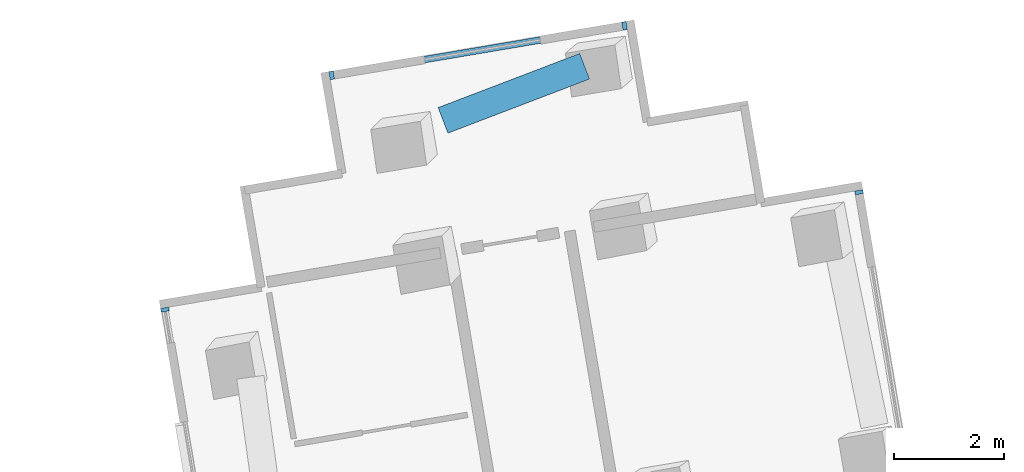
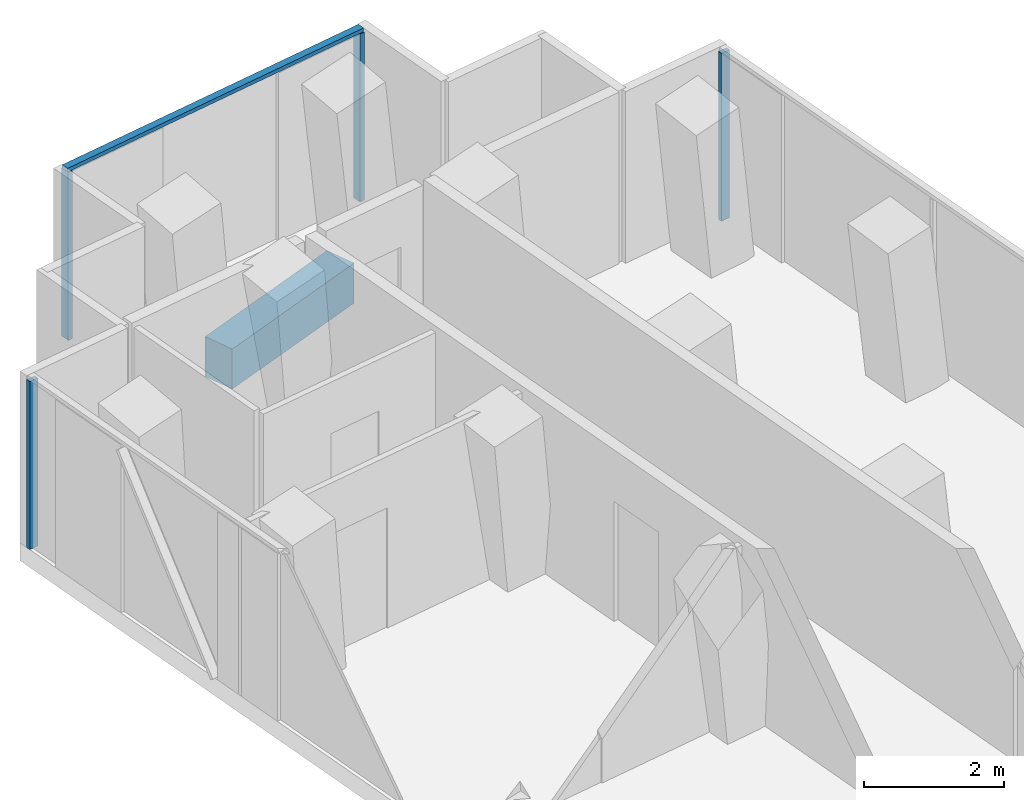
# One storey, part 12 of 27: 5 members, 1 beam, 3 elements without a shape of their own.
"""IFC4 building model written with IfcOpenShell, lengths in metres."""

from ifc_helpers import new_model, si_unit, direction, frame, origin, origin_2d, place, context, subcontext, project, spatial, rectangle, extrude, material, layer, layer_set, material_profile, profile_set, type_object, element, aggregate, save


model = new_model("IFC4")

# Units and contexts
model_context = context("Model", 3, precision=1e-05, world=origin(), true_north=direction((0.0, 1.0)))
body_context = subcontext(model_context, "Body", "Model", "MODEL_VIEW")
ifc_project = project(units=[si_unit("LENGTHUNIT", "METRE"), si_unit("AREAUNIT", "SQUARE_METRE"), si_unit("VOLUMEUNIT", "CUBIC_METRE"), si_unit("PLANEANGLEUNIT", "RADIAN"), si_unit("MASSUNIT", "GRAM", prefix="KILO")], contexts=[model_context])

# Site, building, storey
site_placement = place(None, origin())
site = spatial("IfcSite", under=ifc_project, at=site_placement, CompositionType="ELEMENT")
building_placement = place(site_placement, origin())
building = spatial("IfcBuilding", under=site, at=building_placement, Name="Verdalira Terraces Hotel", CompositionType="ELEMENT")
storey_placement = place(building_placement, frame((0.0, 0.0, 71.5)))
storey = spatial("IfcBuildingStorey", under=building, at=storey_placement, Name="L16", CompositionType="ELEMENT", Elevation=71.5)

# Curtain wall, member
ifc_material_1 = material(Name="Clear glass", Category="glass")
ifc_layer_1 = layer(ifc_material_1, 0.14990234375)
ifc_layer_set_1 = layer_set([ifc_layer_1], Name="CW2 curtain wall")
curtain_wall_type_1 = type_object("IfcCurtainWallType", Name="CW2 curtain wall", PredefinedType="NOTDEFINED", material=ifc_layer_set_1)
curtain_wall_1_placement = place(storey_placement, origin())
curtain_wall_1 = element("IfcCurtainWall", 1, at=curtain_wall_1_placement, inside=storey, type_object=curtain_wall_type_1, Name="CW2 curtain wall L16 edge 0", PredefinedType="NOTDEFINED")
ifc_material_2 = material(Name="Terracotta frame", Category="masonry")
ifc_material_profile_1 = material_profile(ifc_material_2, rectangle(XDim=0.070068, YDim=0.149902, at=origin_2d()), Name="MU 70x150")
ifc_profile_set_1 = profile_set([ifc_material_profile_1], Name="Terracotta frame")
member_type_1 = type_object("IfcMemberType", Name="CW2 mullion 70x150", PredefinedType="MULLION", material=ifc_profile_set_1)
member_1_placement = place(storey_placement, frame((-0.151123, 39.419922, 0.0), z_axis=(0.0, 0.0, 1.0), x_axis=(-0.166768747, 0.985996037, 0.0)))
member_1 = element("IfcMember", 2, at=member_1_placement, type_object=member_type_1, Name="CW2 mullion", PredefinedType="MULLION", context=body_context, shape_type="SweptSolid", body=[
    extrude(rectangle(XDim=0.070068, YDim=0.149902, at=origin_2d()), origin(), (0.0, 0.0, 1.0), 2.935059),
])
aggregate(curtain_wall_1, [member_1])

curtain_wall_2_placement = place(storey_placement, origin())
curtain_wall_2 = element("IfcCurtainWall", 3, at=curtain_wall_2_placement, inside=storey, type_object=curtain_wall_type_1, Name="CW2 curtain wall L16 edge 10", PredefinedType="NOTDEFINED")
member_2_placement = place(storey_placement, frame((-12.821289, 37.276855, 0.0), z_axis=(0.0, 0.0, 1.0), x_axis=(0.166768747, -0.985996037, 0.0)))
member_2 = element("IfcMember", 4, at=member_2_placement, type_object=member_type_1, Name="CW2 mullion", PredefinedType="MULLION", context=body_context, shape_type="SweptSolid", body=[
    extrude(rectangle(XDim=0.070068, YDim=0.149902, at=origin_2d()), origin(), (0.0, 0.0, 1.0), 2.935059),
])
aggregate(curtain_wall_2, [member_2])

# Curtain wall, members
ifc_material_3 = material(Name="Clear glass", Category="glass")
ifc_layer_2 = layer(ifc_material_3, 0.14990234375)
ifc_layer_set_2 = layer_set([ifc_layer_2], Name="CW3 curtain wall")
curtain_wall_type_2 = type_object("IfcCurtainWallType", Name="CW3 curtain wall", PredefinedType="NOTDEFINED", material=ifc_layer_set_2)
curtain_wall_3_placement = place(storey_placement, origin())
curtain_wall_3 = element("IfcCurtainWall", 5, at=curtain_wall_3_placement, inside=storey, type_object=curtain_wall_type_2, Name="CW3 curtain wall L16 edge 5", PredefinedType="NOTDEFINED")
ifc_material_4 = material(Name="Terracotta frame", Category="masonry")
ifc_material_profile_2 = material_profile(ifc_material_4, rectangle(XDim=0.080078, YDim=0.149902, at=origin_2d()), Name="MU 80x150")
ifc_profile_set_2 = profile_set([ifc_material_profile_2], Name="Terracotta frame")
member_type_2 = type_object("IfcMemberType", Name="CW3 mullion 80x150", PredefinedType="MULLION", material=ifc_profile_set_2)
member_3_placement = place(storey_placement, frame((-4.432861, 42.458496, 0.0), z_axis=(0.0, 0.0, 1.0), x_axis=(-0.985996037, -0.166768747, 0.0)))
member_3 = element("IfcMember", 6, at=member_3_placement, type_object=member_type_2, Name="CW3 mullion", PredefinedType="MULLION", context=body_context, shape_type="SweptSolid", body=[
    extrude(rectangle(XDim=0.080078, YDim=0.149902, at=origin_2d()), origin(), (0.0, 0.0, 1.0), 2.935059),
])
member_4_placement = place(storey_placement, frame((-9.776855, 41.554443, 0.0), z_axis=(0.0, 0.0, 1.0), x_axis=(-0.985996037, -0.166768747, 0.0)))
member_4 = element("IfcMember", 7, at=member_4_placement, type_object=member_type_2, Name="CW3 mullion", PredefinedType="MULLION", context=body_context, shape_type="SweptSolid", body=[
    extrude(rectangle(XDim=0.080078, YDim=0.149902, at=origin_2d()), origin(), (0.0, 0.0, 1.0), 2.935059),
])
ifc_material_5 = material(Name="Terracotta frame", Category="masonry")
ifc_material_profile_3 = material_profile(ifc_material_5, rectangle(XDim=0.120117, YDim=0.064941, at=origin_2d()), Name="TR 65x120")
ifc_profile_set_3 = profile_set([ifc_material_profile_3], Name="Terracotta frame")
member_type_3 = type_object("IfcMemberType", Name="CW3 transom 65x120", PredefinedType="USERDEFINED", material=ifc_profile_set_3)
member_5_placement = place(storey_placement, frame((-4.393311, 42.465088, 2.967529), z_axis=(-0.985996385, -0.166766687, 0.0), x_axis=(0.166766687, -0.985996385, 0.0)))
member_5 = element("IfcMember", 8, at=member_5_placement, type_object=member_type_3, Name="CW3 transom", ObjectType="TRANSOM", PredefinedType="USERDEFINED", context=body_context, shape_type="SweptSolid", body=[
    extrude(rectangle(XDim=0.120117, YDim=0.064941, at=origin_2d()), origin(), (0.0, 0.0, 1.0), 5.5),
])
aggregate(curtain_wall_3, [member_3, member_4, member_5])

# Beam
ifc_material_6 = material(Name="Concrete C70", Category="concrete")
ifc_material_profile_4 = material_profile(ifc_material_6, rectangle(XDim=0.5, YDim=0.699951, at=origin_2d()), Name="RC 500X700")
ifc_profile_set_4 = profile_set([ifc_material_profile_4], Name="Concrete C70")
beam_type = type_object("IfcBeamType", Name="Spandrel beam RC 500X700 C70", PredefinedType="SPANDREL", material=ifc_profile_set_4)
beam_placement = place(storey_placement, frame((-5.1604, 41.719482, -0.659912), z_axis=(-0.934168658, -0.35683178, 0.0), x_axis=(0.35683178, -0.934168658, 0.0)))
element("IfcBeam", 9, at=beam_placement, inside=storey, type_object=beam_type, Name="Spandrel beam B04", PredefinedType="SPANDREL", context=body_context, shape_type="SweptSolid", body=[
    extrude(rectangle(XDim=0.5, YDim=0.699951, at=origin_2d()), origin(), (0.0, 0.0, 1.0), 2.766846),
])

save(model, "model.ifc")
